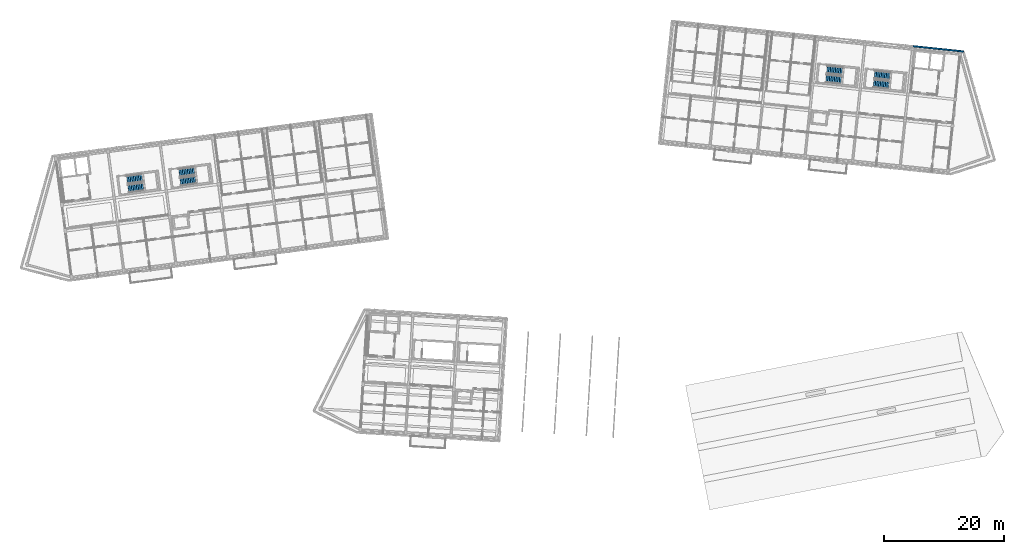
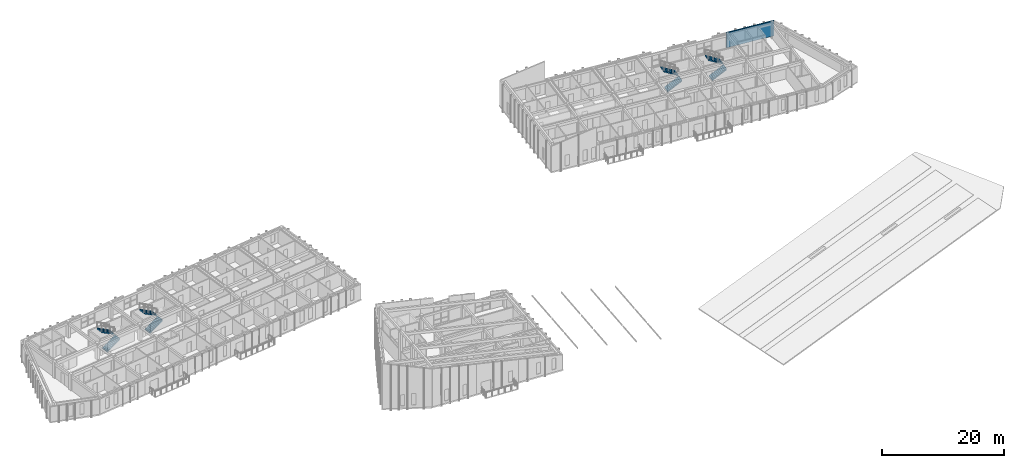
# One storey, part 28 of 45: 8 stair flights, 1 wall, 4 elements without a shape of their own.
"""IFC4 building model written with IfcOpenShell, lengths in metres."""

from ifc_helpers import new_model, si_unit, direction, frame, frame_2d, origin, place, context, subcontext, project, spatial, polyline, rectangle, outline, extrude, material, layer, layer_set, type_object, element, aggregate, save


model = new_model("IFC4")

# Units and contexts
model_context = context("Model", 3, precision=1e-05, world=origin(), true_north=direction((0.0, 1.0)))
body_context = subcontext(model_context, "Body", "Model", "MODEL_VIEW")
ifc_project = project(units=[si_unit("LENGTHUNIT", "METRE"), si_unit("AREAUNIT", "SQUARE_METRE"), si_unit("VOLUMEUNIT", "CUBIC_METRE"), si_unit("PLANEANGLEUNIT", "RADIAN"), si_unit("MASSUNIT", "GRAM", prefix="KILO")], contexts=[model_context])

# Site, building, storey
site_placement = place(None, origin())
site = spatial("IfcSite", under=ifc_project, at=site_placement, CompositionType="ELEMENT")
building_placement = place(site_placement, origin())
building = spatial("IfcBuilding", under=site, at=building_placement, Name="Kestramere Prow Commons", CompositionType="ELEMENT")
storey_placement = place(building_placement, frame((0.0, 0.0, 31.14990234375)))
storey = spatial("IfcBuildingStorey", under=building, at=storey_placement, Name="L09", CompositionType="ELEMENT", Elevation=31.14990234375)

# Wall
ifc_material_1 = material(Name="Fluoropolymer Standing-Seam Zinc-Aluminium Cladding", Category="aluminium")
ifc_layer = layer(ifc_material_1, 0.239990234375)
ifc_layer_set = layer_set([ifc_layer], Name="Fluoropolymer Standing-Seam Zinc-Aluminium Cladding")
wall_type = type_object("IfcWallType", Name="EW-SEAM-240", PredefinedType="SOLIDWALL", material=ifc_layer_set)
wall_placement = place(storey_placement, frame((151.884521484375, 110.633544921875, 0.0), z_axis=(0.0, 0.0, 1.0), x_axis=(0.994521760736, -0.104529744196, 0.0)))
element("IfcWall", 1, at=wall_placement, inside=storey, type_object=wall_type, Name="Block B L09 North Standing-Seam Wall 6", PredefinedType="SOLIDWALL", context=body_context, shape_type="SweptSolid", body=[
    extrude(rectangle(XDim=8.52490234375, YDim=0.239990234375, at=frame_2d((4.262451171875, 0.0))), origin(), (0.0, 0.0, 1.0), 3.0),
])

# Stair, stair flights
ifc_material_2 = material(Name="Concrete C40/50", Category="concrete")
stair_type = type_object("IfcStairType", Name="ST-DOG-1350", PredefinedType="HALF_TURN_STAIR", material=ifc_material_2)
stair_1_placement = place(storey_placement, origin())
stair_1 = element("IfcStair", 2, at=stair_1_placement, inside=storey, type_object=stair_type, Name="L09 Block A Exit Stair 1", PredefinedType="HALF_TURN_STAIR")
stair_flight_type = type_object("IfcStairFlightType", Name="SFL-1350", PredefinedType="STRAIGHT", material=ifc_material_2)
stair_flight_1_placement = place(storey_placement, frame((20.70068359375, 86.79150390625, 0.0), z_axis=(0.0, 0.0, 1.0), x_axis=(0.991444861374, 0.13052619222, 0.0)))
stair_flight_1 = element("IfcStairFlight", 3, at=stair_flight_1_placement, type_object=stair_flight_type, Name="ST-A1 flight 1", NumberOfRisers=10, NumberOfTreads=9, PredefinedType="STRAIGHT", RiserHeight=0.1625, TreadLength=0.28, context=body_context, shape_type="SweptSolid", body=[
    extrude(outline(polyline([(-0.02490234375, 0.0), (0.0, 0.0), (0.0, 0.16259765625), (0.280029296875, 0.16259765625), (0.280029296875, 0.324951171875), (0.56005859375, 0.324951171875), (0.56005859375, 0.487548828125), (0.840087890625, 0.487548828125), (0.840087890625, 0.64990234375), (1.1201171875, 0.64990234375), (1.1201171875, 0.8125), (1.39990234375, 0.8125), (1.39990234375, 0.97509765625), (1.679931640625, 0.97509765625), (1.679931640625, 1.137451171875), (1.9599609375, 1.137451171875), (1.9599609375, 1.300048828125), (2.239990234375, 1.300048828125), (2.239990234375, 1.46240234375), (2.52001953125, 1.46240234375), (2.52001953125, 1.625), (2.544921875, 1.625), (2.544921875, 1.2890625), (0.0, -0.14990234375), (-0.02490234375, -0.14990234375), (-0.02490234375, 0.0)])), frame((0.0, 0.675048828125, 0.0), z_axis=(0.0, -1.0, 0.0), x_axis=(1.0, 0.0, 0.0)), (0.0, 0.0, 1.0), 1.35009765625),
])
stair_flight_2_placement = place(storey_placement, frame((23.003173828125, 88.607666015625, 1.625), z_axis=(0.0, 0.0, 1.0), x_axis=(-0.991444861374, -0.13052619222, 0.0)))
stair_flight_2 = element("IfcStairFlight", 4, at=stair_flight_2_placement, type_object=stair_flight_type, Name="ST-A1 flight 2", NumberOfRisers=10, NumberOfTreads=9, PredefinedType="STRAIGHT", RiserHeight=0.1625, TreadLength=0.28, context=body_context, shape_type="SweptSolid", body=[
    extrude(outline(polyline([(-0.02490234375, 0.0), (0.0, 0.0), (0.0, 0.16259765625), (0.280029296875, 0.16259765625), (0.280029296875, 0.324951171875), (0.56005859375, 0.324951171875), (0.56005859375, 0.487548828125), (0.840087890625, 0.487548828125), (0.840087890625, 0.64990234375), (1.1201171875, 0.64990234375), (1.1201171875, 0.8125), (1.39990234375, 0.8125), (1.39990234375, 0.97509765625), (1.679931640625, 0.97509765625), (1.679931640625, 1.137451171875), (1.9599609375, 1.137451171875), (1.9599609375, 1.300048828125), (2.239990234375, 1.300048828125), (2.239990234375, 1.46240234375), (2.52001953125, 1.46240234375), (2.52001953125, 1.625), (2.544921875, 1.625), (2.544921875, 1.2890625), (0.0, -0.14990234375), (-0.02490234375, -0.14990234375), (-0.02490234375, 0.0)])), frame((0.0, 0.675048828125, 0.0), z_axis=(0.0, -1.0, 0.0), x_axis=(1.0, 0.0, 0.0)), (0.0, 0.0, 1.0), 1.35009765625),
])
aggregate(stair_1, [stair_flight_1, stair_flight_2])

stair_2_placement = place(storey_placement, origin())
stair_2 = element("IfcStair", 5, at=stair_2_placement, inside=storey, type_object=stair_type, Name="L09 Block A Exit Stair 2", PredefinedType="HALF_TURN_STAIR")
stair_flight_3_placement = place(storey_placement, frame((29.42529296875, 87.940185546875, 0.0), z_axis=(0.0, 0.0, 1.0), x_axis=(0.991444861374, 0.13052619222, 0.0)))
stair_flight_3 = element("IfcStairFlight", 6, at=stair_flight_3_placement, type_object=stair_flight_type, Name="ST-A2 flight 1", NumberOfRisers=10, NumberOfTreads=9, PredefinedType="STRAIGHT", RiserHeight=0.1625, TreadLength=0.28, context=body_context, shape_type="SweptSolid", body=[
    extrude(outline(polyline([(-0.02490234375, 0.0), (0.0, 0.0), (0.0, 0.16259765625), (0.280029296875, 0.16259765625), (0.280029296875, 0.324951171875), (0.56005859375, 0.324951171875), (0.56005859375, 0.487548828125), (0.840087890625, 0.487548828125), (0.840087890625, 0.64990234375), (1.1201171875, 0.64990234375), (1.1201171875, 0.8125), (1.39990234375, 0.8125), (1.39990234375, 0.97509765625), (1.679931640625, 0.97509765625), (1.679931640625, 1.137451171875), (1.9599609375, 1.137451171875), (1.9599609375, 1.300048828125), (2.239990234375, 1.300048828125), (2.239990234375, 1.46240234375), (2.52001953125, 1.46240234375), (2.52001953125, 1.625), (2.544921875, 1.625), (2.544921875, 1.2890625), (0.0, -0.14990234375), (-0.02490234375, -0.14990234375), (-0.02490234375, 0.0)])), frame((0.0, 0.675048828125, 0.0), z_axis=(0.0, -1.0, 0.0), x_axis=(1.0, 0.0, 0.0)), (0.0, 0.0, 1.0), 1.35009765625),
])
stair_flight_4_placement = place(storey_placement, frame((31.72802734375, 89.75634765625, 1.625), z_axis=(0.0, 0.0, 1.0), x_axis=(-0.991444861374, -0.13052619222, 0.0)))
stair_flight_4 = element("IfcStairFlight", 7, at=stair_flight_4_placement, type_object=stair_flight_type, Name="ST-A2 flight 2", NumberOfRisers=10, NumberOfTreads=9, PredefinedType="STRAIGHT", RiserHeight=0.1625, TreadLength=0.28, context=body_context, shape_type="SweptSolid", body=[
    extrude(outline(polyline([(-0.02490234375, 0.0), (0.0, 0.0), (0.0, 0.16259765625), (0.280029296875, 0.16259765625), (0.280029296875, 0.324951171875), (0.56005859375, 0.324951171875), (0.56005859375, 0.487548828125), (0.840087890625, 0.487548828125), (0.840087890625, 0.64990234375), (1.1201171875, 0.64990234375), (1.1201171875, 0.8125), (1.39990234375, 0.8125), (1.39990234375, 0.97509765625), (1.679931640625, 0.97509765625), (1.679931640625, 1.137451171875), (1.9599609375, 1.137451171875), (1.9599609375, 1.300048828125), (2.239990234375, 1.300048828125), (2.239990234375, 1.46240234375), (2.52001953125, 1.46240234375), (2.52001953125, 1.625), (2.544921875, 1.625), (2.544921875, 1.2890625), (0.0, -0.14990234375), (-0.02490234375, -0.14990234375), (-0.02490234375, 0.0)])), frame((0.0, 0.675048828125, 0.0), z_axis=(0.0, -1.0, 0.0), x_axis=(1.0, 0.0, 0.0)), (0.0, 0.0, 1.0), 1.35009765625),
])
aggregate(stair_2, [stair_flight_3, stair_flight_4])

stair_3_placement = place(storey_placement, origin())
stair_3 = element("IfcStair", 8, at=stair_3_placement, inside=storey, type_object=stair_type, Name="L09 Block B Exit Stair 1", PredefinedType="HALF_TURN_STAIR")
stair_flight_5_placement = place(storey_placement, frame((137.38916015625, 105.21923828125, 0.0), z_axis=(0.0, 0.0, 1.0), x_axis=(0.994521895368, -0.104528463268, 0.0)))
stair_flight_5 = element("IfcStairFlight", 9, at=stair_flight_5_placement, type_object=stair_flight_type, Name="ST-B1 flight 1", NumberOfRisers=10, NumberOfTreads=9, PredefinedType="STRAIGHT", RiserHeight=0.1625, TreadLength=0.28, context=body_context, shape_type="SweptSolid", body=[
    extrude(outline(polyline([(-0.02490234375, 0.0), (0.0, 0.0), (0.0, 0.16259765625), (0.280029296875, 0.16259765625), (0.280029296875, 0.324951171875), (0.56005859375, 0.324951171875), (0.56005859375, 0.487548828125), (0.840087890625, 0.487548828125), (0.840087890625, 0.64990234375), (1.1201171875, 0.64990234375), (1.1201171875, 0.8125), (1.39990234375, 0.8125), (1.39990234375, 0.97509765625), (1.679931640625, 0.97509765625), (1.679931640625, 1.137451171875), (1.9599609375, 1.137451171875), (1.9599609375, 1.300048828125), (2.239990234375, 1.300048828125), (2.239990234375, 1.46240234375), (2.52001953125, 1.46240234375), (2.52001953125, 1.625), (2.544921875, 1.625), (2.544921875, 1.2890625), (0.0, -0.14990234375), (-0.02490234375, -0.14990234375), (-0.02490234375, 0.0)])), frame((0.0, 0.675048828125, 0.0), z_axis=(0.0, -1.0, 0.0), x_axis=(1.0, 0.0, 0.0)), (0.0, 0.0, 1.0), 1.35009765625),
])
stair_flight_6_placement = place(storey_placement, frame((140.052001953125, 106.447509765625, 1.625), z_axis=(0.0, 0.0, 1.0), x_axis=(-0.994521895368, 0.104528463268, 0.0)))
stair_flight_6 = element("IfcStairFlight", 10, at=stair_flight_6_placement, type_object=stair_flight_type, Name="ST-B1 flight 2", NumberOfRisers=10, NumberOfTreads=9, PredefinedType="STRAIGHT", RiserHeight=0.1625, TreadLength=0.28, context=body_context, shape_type="SweptSolid", body=[
    extrude(outline(polyline([(-0.02490234375, 0.0), (0.0, 0.0), (0.0, 0.16259765625), (0.280029296875, 0.16259765625), (0.280029296875, 0.324951171875), (0.56005859375, 0.324951171875), (0.56005859375, 0.487548828125), (0.840087890625, 0.487548828125), (0.840087890625, 0.64990234375), (1.1201171875, 0.64990234375), (1.1201171875, 0.8125), (1.39990234375, 0.8125), (1.39990234375, 0.97509765625), (1.679931640625, 0.97509765625), (1.679931640625, 1.137451171875), (1.9599609375, 1.137451171875), (1.9599609375, 1.300048828125), (2.239990234375, 1.300048828125), (2.239990234375, 1.46240234375), (2.52001953125, 1.46240234375), (2.52001953125, 1.625), (2.544921875, 1.625), (2.544921875, 1.2890625), (0.0, -0.14990234375), (-0.02490234375, -0.14990234375), (-0.02490234375, 0.0)])), frame((0.0, 0.675048828125, 0.0), z_axis=(0.0, -1.0, 0.0), x_axis=(1.0, 0.0, 0.0)), (0.0, 0.0, 1.0), 1.35009765625),
])
aggregate(stair_3, [stair_flight_5, stair_flight_6])

stair_4_placement = place(storey_placement, origin())
stair_4 = element("IfcStair", 11, at=stair_4_placement, inside=storey, type_object=stair_type, Name="L09 Block B Exit Stair 2", PredefinedType="HALF_TURN_STAIR")
stair_flight_7_placement = place(storey_placement, frame((145.34521484375, 104.3828125, 0.0), z_axis=(0.0, 0.0, 1.0), x_axis=(0.994521895368, -0.104528463268, 0.0)))
stair_flight_7 = element("IfcStairFlight", 12, at=stair_flight_7_placement, type_object=stair_flight_type, Name="ST-B2 flight 1", NumberOfRisers=10, NumberOfTreads=9, PredefinedType="STRAIGHT", RiserHeight=0.1625, TreadLength=0.28, context=body_context, shape_type="SweptSolid", body=[
    extrude(outline(polyline([(-0.02490234375, 0.0), (0.0, 0.0), (0.0, 0.16259765625), (0.280029296875, 0.16259765625), (0.280029296875, 0.324951171875), (0.56005859375, 0.324951171875), (0.56005859375, 0.487548828125), (0.840087890625, 0.487548828125), (0.840087890625, 0.64990234375), (1.1201171875, 0.64990234375), (1.1201171875, 0.8125), (1.39990234375, 0.8125), (1.39990234375, 0.97509765625), (1.679931640625, 0.97509765625), (1.679931640625, 1.137451171875), (1.9599609375, 1.137451171875), (1.9599609375, 1.300048828125), (2.239990234375, 1.300048828125), (2.239990234375, 1.46240234375), (2.52001953125, 1.46240234375), (2.52001953125, 1.625), (2.544921875, 1.625), (2.544921875, 1.2890625), (0.0, -0.14990234375), (-0.02490234375, -0.14990234375), (-0.02490234375, 0.0)])), frame((0.0, 0.675048828125, 0.0), z_axis=(0.0, -1.0, 0.0), x_axis=(1.0, 0.0, 0.0)), (0.0, 0.0, 1.0), 1.35009765625),
])
stair_flight_8_placement = place(storey_placement, frame((148.00830078125, 105.611328125, 1.625), z_axis=(0.0, 0.0, 1.0), x_axis=(-0.994521895368, 0.104528463268, 0.0)))
stair_flight_8 = element("IfcStairFlight", 13, at=stair_flight_8_placement, type_object=stair_flight_type, Name="ST-B2 flight 2", NumberOfRisers=10, NumberOfTreads=9, PredefinedType="STRAIGHT", RiserHeight=0.1625, TreadLength=0.28, context=body_context, shape_type="SweptSolid", body=[
    extrude(outline(polyline([(-0.02490234375, 0.0), (0.0, 0.0), (0.0, 0.16259765625), (0.280029296875, 0.16259765625), (0.280029296875, 0.324951171875), (0.56005859375, 0.324951171875), (0.56005859375, 0.487548828125), (0.840087890625, 0.487548828125), (0.840087890625, 0.64990234375), (1.1201171875, 0.64990234375), (1.1201171875, 0.8125), (1.39990234375, 0.8125), (1.39990234375, 0.97509765625), (1.679931640625, 0.97509765625), (1.679931640625, 1.137451171875), (1.9599609375, 1.137451171875), (1.9599609375, 1.300048828125), (2.239990234375, 1.300048828125), (2.239990234375, 1.46240234375), (2.52001953125, 1.46240234375), (2.52001953125, 1.625), (2.544921875, 1.625), (2.544921875, 1.2890625), (0.0, -0.14990234375), (-0.02490234375, -0.14990234375), (-0.02490234375, 0.0)])), frame((0.0, 0.675048828125, 0.0), z_axis=(0.0, -1.0, 0.0), x_axis=(1.0, 0.0, 0.0)), (0.0, 0.0, 1.0), 1.35009765625),
])
aggregate(stair_4, [stair_flight_7, stair_flight_8])

save(model, "model.ifc")
